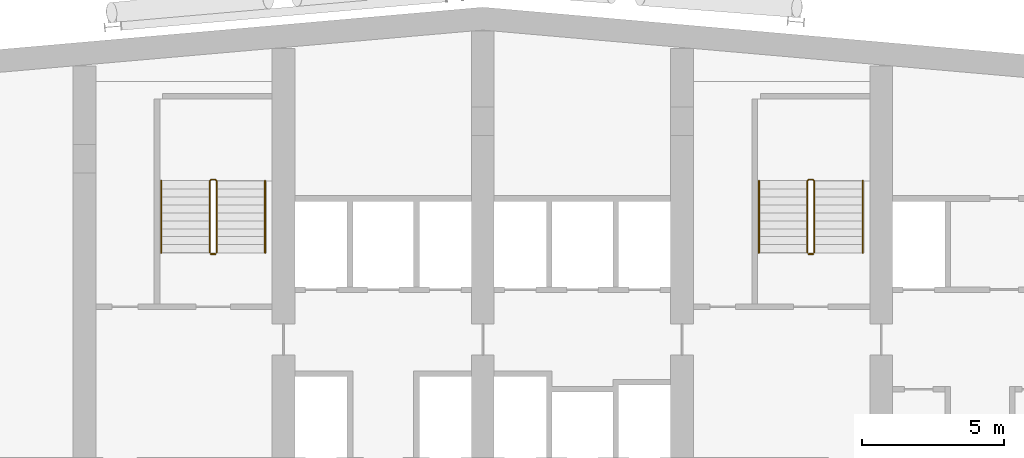
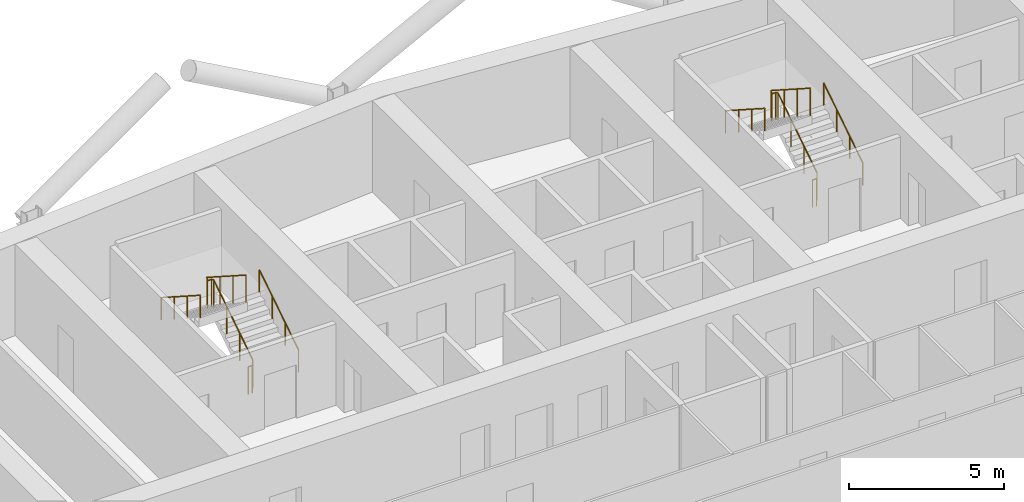
# One storey, part 29 of 29: 8 railings.
"""IFC4 building model written with IfcOpenShell, lengths in metres."""

from ifc_helpers import new_model, si_unit, direction, frame, origin, origin_2d, place, context, subcontext, project, spatial, circle, extrude, material, type_object, element, save


model = new_model("IFC4")

# Units and contexts
model_context = context("Model", 3, precision=1e-05, world=origin(), true_north=direction((0.0, 1.0)))
body_context = subcontext(model_context, "Body", "Model", "MODEL_VIEW")
ifc_project = project(units=[si_unit("LENGTHUNIT", "METRE"), si_unit("AREAUNIT", "SQUARE_METRE"), si_unit("VOLUMEUNIT", "CUBIC_METRE"), si_unit("PLANEANGLEUNIT", "RADIAN"), si_unit("MASSUNIT", "GRAM", prefix="KILO")], contexts=[model_context])

# Site, building, storey
site_placement = place(None, origin())
site = spatial("IfcSite", under=ifc_project, at=site_placement, CompositionType="ELEMENT")
building_placement = place(site_placement, origin())
building = spatial("IfcBuilding", under=site, at=building_placement, Name="Wharfspan Tower", CompositionType="ELEMENT")
storey_placement = place(building_placement, frame((0.0, 0.0, 155.5)))
storey = spatial("IfcBuildingStorey", under=building, at=storey_placement, Name="L37", CompositionType="ELEMENT", Elevation=155.5)

# Railings
ifc_material = material(Name="Steel S355J2", Category="steel")
railing_type_1 = type_object("IfcRailingType", Name="Stair guard 1100", PredefinedType="GUARDRAIL", material=ifc_material)
railing_1_placement = place(storey_placement, frame((27.649902, 42.0, 0.179932)))
element("IfcRailing", 1, at=railing_1_placement, inside=storey, type_object=railing_type_1, Name="L37 ST1 stair guard 1", PredefinedType="GUARDRAIL", context=body_context, shape_type="SweptSolid", body=[
    extrude(circle(Radius=0.023926, at=origin_2d()), frame((0.0, 0.0, 1.076172), z_axis=(0.0, 0.841163, 0.540782), x_axis=(-1.0, 0.0, 0.0)), (0.0, 0.0, 1.0), 2.99585),
    extrude(circle(Radius=0.023926, at=origin_2d()), frame((0.0, 2.52002, 2.696289), z_axis=(-0.705376, 0.708834, 0.0), x_axis=(-0.708834, -0.705376, 0.0)), (0.0, 0.0, 1.0), 0.070557),
    extrude(circle(Radius=0.023926, at=origin_2d()), frame((-0.049805, 2.570068, 2.696289), z_axis=(-1.0, 0.0, 0.0), x_axis=(0.0, -1.0, 0.0)), (0.0, 0.0, 1.0), 0.150146),
    extrude(circle(Radius=0.023926, at=origin_2d()), frame((-0.199951, 2.570068, 2.696289), z_axis=(-0.258848, -0.258848, 0.930589), x_axis=(0.707107, -0.707107, 0.0)), (0.0, 0.0, 1.0), 0.193359),
    extrude(circle(Radius=0.023926, at=origin_2d()), frame((-0.25, 2.52002, 2.875977), z_axis=(0.0, -0.841163, 0.540782), x_axis=(1.0, 0.0, 0.0)), (0.0, 0.0, 1.0), 2.99585),
    extrude(circle(Radius=0.020996, at=origin_2d()), origin(), (0.0, 0.0, 1.0), 1.052002),
    extrude(circle(Radius=0.020996, at=origin_2d()), frame((0.0, 0.840088, 0.540039)), (0.0, 0.0, 1.0), 1.052002),
    extrude(circle(Radius=0.020996, at=origin_2d()), frame((0.0, 1.679932, 1.080078)), (0.0, 0.0, 1.0), 1.052002),
    extrude(circle(Radius=0.020996, at=origin_2d()), frame((0.0, 2.52002, 1.620117)), (0.0, 0.0, 1.0), 1.052002),
    extrude(circle(Radius=0.020996, at=origin_2d()), frame((-0.049805, 2.570068, 1.620117)), (0.0, 0.0, 1.0), 1.052002),
    extrude(circle(Radius=0.020996, at=origin_2d()), frame((-0.199951, 2.570068, 1.620117)), (0.0, 0.0, 1.0), 1.052002),
    extrude(circle(Radius=0.020996, at=origin_2d()), frame((-0.25, 2.52002, 1.800049)), (0.0, 0.0, 1.0), 1.052002),
    extrude(circle(Radius=0.020996, at=origin_2d()), frame((-0.25, 1.679932, 2.340088)), (0.0, 0.0, 1.0), 1.052002),
    extrude(circle(Radius=0.020996, at=origin_2d()), frame((-0.25, 0.840088, 2.880127)), (0.0, 0.0, 1.0), 1.052002),
    extrude(circle(Radius=0.020996, at=origin_2d()), frame((-0.25, 0.0, 3.420166)), (0.0, 0.0, 1.0), 1.052002),
])
railing_2_placement = place(storey_placement, frame((27.600098, 41.949951, 0.0)))
element("IfcRailing", 2, at=railing_2_placement, inside=storey, type_object=railing_type_1, Name="L37 ST1 stair guard 2", PredefinedType="GUARDRAIL", context=body_context, shape_type="SweptSolid", body=[
    extrude(circle(Radius=0.023926, at=origin_2d()), frame((0.0, 0.0, 1.076172), z_axis=(-1.0, 0.0, 0.0), x_axis=(0.0, -1.0, 0.0)), (0.0, 0.0, 1.0), 0.150146),
    extrude(circle(Radius=0.020996, at=origin_2d()), origin(), (0.0, 0.0, 1.0), 1.052002),
    extrude(circle(Radius=0.020996, at=origin_2d()), frame((-0.150146, 0.0, 0.0)), (0.0, 0.0, 1.0), 1.052002),
])
railing_3_placement = place(storey_placement, frame((48.649902, 42.0, 0.179932)))
element("IfcRailing", 3, at=railing_3_placement, inside=storey, type_object=railing_type_1, Name="L37 ST2 stair guard 1", PredefinedType="GUARDRAIL", context=body_context, shape_type="SweptSolid", body=[
    extrude(circle(Radius=0.023926, at=origin_2d()), frame((0.0, 0.0, 1.076172), z_axis=(0.0, 0.841163, 0.540782), x_axis=(-1.0, 0.0, 0.0)), (0.0, 0.0, 1.0), 2.99585),
    extrude(circle(Radius=0.023926, at=origin_2d()), frame((0.0, 2.52002, 2.696289), z_axis=(-0.705376, 0.708834, 0.0), x_axis=(-0.708834, -0.705376, 0.0)), (0.0, 0.0, 1.0), 0.070557),
    extrude(circle(Radius=0.023926, at=origin_2d()), frame((-0.049805, 2.570068, 2.696289), z_axis=(-1.0, 0.0, 0.0), x_axis=(0.0, -1.0, 0.0)), (0.0, 0.0, 1.0), 0.150146),
    extrude(circle(Radius=0.023926, at=origin_2d()), frame((-0.199951, 2.570068, 2.696289), z_axis=(-0.258848, -0.258848, 0.930589), x_axis=(0.707107, -0.707107, 0.0)), (0.0, 0.0, 1.0), 0.193359),
    extrude(circle(Radius=0.023926, at=origin_2d()), frame((-0.25, 2.52002, 2.875977), z_axis=(0.0, -0.841163, 0.540782), x_axis=(1.0, 0.0, 0.0)), (0.0, 0.0, 1.0), 2.99585),
    extrude(circle(Radius=0.020996, at=origin_2d()), origin(), (0.0, 0.0, 1.0), 1.052002),
    extrude(circle(Radius=0.020996, at=origin_2d()), frame((0.0, 0.840088, 0.540039)), (0.0, 0.0, 1.0), 1.052002),
    extrude(circle(Radius=0.020996, at=origin_2d()), frame((0.0, 1.679932, 1.080078)), (0.0, 0.0, 1.0), 1.052002),
    extrude(circle(Radius=0.020996, at=origin_2d()), frame((0.0, 2.52002, 1.620117)), (0.0, 0.0, 1.0), 1.052002),
    extrude(circle(Radius=0.020996, at=origin_2d()), frame((-0.049805, 2.570068, 1.620117)), (0.0, 0.0, 1.0), 1.052002),
    extrude(circle(Radius=0.020996, at=origin_2d()), frame((-0.199951, 2.570068, 1.620117)), (0.0, 0.0, 1.0), 1.052002),
    extrude(circle(Radius=0.020996, at=origin_2d()), frame((-0.25, 2.52002, 1.800049)), (0.0, 0.0, 1.0), 1.052002),
    extrude(circle(Radius=0.020996, at=origin_2d()), frame((-0.25, 1.679932, 2.340088)), (0.0, 0.0, 1.0), 1.052002),
    extrude(circle(Radius=0.020996, at=origin_2d()), frame((-0.25, 0.840088, 2.880127)), (0.0, 0.0, 1.0), 1.052002),
    extrude(circle(Radius=0.020996, at=origin_2d()), frame((-0.25, 0.0, 3.420166)), (0.0, 0.0, 1.0), 1.052002),
])
railing_4_placement = place(storey_placement, frame((48.600098, 41.949951, 0.0)))
element("IfcRailing", 4, at=railing_4_placement, inside=storey, type_object=railing_type_1, Name="L37 ST2 stair guard 2", PredefinedType="GUARDRAIL", context=body_context, shape_type="SweptSolid", body=[
    extrude(circle(Radius=0.023926, at=origin_2d()), frame((0.0, 0.0, 1.076172), z_axis=(-1.0, 0.0, 0.0), x_axis=(0.0, -1.0, 0.0)), (0.0, 0.0, 1.0), 0.150146),
    extrude(circle(Radius=0.020996, at=origin_2d()), origin(), (0.0, 0.0, 1.0), 1.052002),
    extrude(circle(Radius=0.020996, at=origin_2d()), frame((-0.150146, 0.0, 0.0)), (0.0, 0.0, 1.0), 1.052002),
])
railing_type_2 = type_object("IfcRailingType", Name="Stair handrail 900", PredefinedType="HANDRAIL", material=ifc_material)
railing_5_placement = place(storey_placement, frame((29.350098, 42.0, 0.179932)))
element("IfcRailing", 5, at=railing_5_placement, inside=storey, type_object=railing_type_2, Name="L37 ST1 stair handrail 1", PredefinedType="HANDRAIL", context=body_context, shape_type="SweptSolid", body=[
    extrude(circle(Radius=0.023926, at=origin_2d()), frame((0.0, 0.0, 0.875977), z_axis=(0.0, 0.841163, 0.540782), x_axis=(-1.0, 0.0, 0.0)), (0.0, 0.0, 1.0), 2.99585),
    extrude(circle(Radius=0.020996, at=origin_2d()), origin(), (0.0, 0.0, 1.0), 0.851807),
    extrude(circle(Radius=0.020996, at=origin_2d()), frame((0.0, 0.840088, 0.540039)), (0.0, 0.0, 1.0), 0.851807),
    extrude(circle(Radius=0.020996, at=origin_2d()), frame((0.0, 1.679932, 1.080078)), (0.0, 0.0, 1.0), 0.851807),
    extrude(circle(Radius=0.020996, at=origin_2d()), frame((0.0, 2.52002, 1.620117)), (0.0, 0.0, 1.0), 0.851807),
])
railing_6_placement = place(storey_placement, frame((25.699951, 44.52002, 1.97998)))
element("IfcRailing", 6, at=railing_6_placement, inside=storey, type_object=railing_type_2, Name="L37 ST1 stair handrail 2", PredefinedType="HANDRAIL", context=body_context, shape_type="SweptSolid", body=[
    extrude(circle(Radius=0.023926, at=origin_2d()), frame((0.0, 0.0, 0.875977), z_axis=(0.0, -0.841163, 0.540782), x_axis=(1.0, 0.0, 0.0)), (0.0, 0.0, 1.0), 2.99585),
    extrude(circle(Radius=0.020996, at=origin_2d()), origin(), (0.0, 0.0, 1.0), 0.851807),
    extrude(circle(Radius=0.020996, at=origin_2d()), frame((0.0, -0.840088, 0.540039)), (0.0, 0.0, 1.0), 0.851807),
    extrude(circle(Radius=0.020996, at=origin_2d()), frame((0.0, -1.679932, 1.080078)), (0.0, 0.0, 1.0), 0.851807),
    extrude(circle(Radius=0.020996, at=origin_2d()), frame((0.0, -2.52002, 1.620117)), (0.0, 0.0, 1.0), 0.851807),
])
railing_7_placement = place(storey_placement, frame((50.350098, 42.0, 0.179932)))
element("IfcRailing", 7, at=railing_7_placement, inside=storey, type_object=railing_type_2, Name="L37 ST2 stair handrail 1", PredefinedType="HANDRAIL", context=body_context, shape_type="SweptSolid", body=[
    extrude(circle(Radius=0.023926, at=origin_2d()), frame((0.0, 0.0, 0.875977), z_axis=(0.0, 0.841163, 0.540782), x_axis=(-1.0, 0.0, 0.0)), (0.0, 0.0, 1.0), 2.99585),
    extrude(circle(Radius=0.020996, at=origin_2d()), origin(), (0.0, 0.0, 1.0), 0.851807),
    extrude(circle(Radius=0.020996, at=origin_2d()), frame((0.0, 0.840088, 0.540039)), (0.0, 0.0, 1.0), 0.851807),
    extrude(circle(Radius=0.020996, at=origin_2d()), frame((0.0, 1.679932, 1.080078)), (0.0, 0.0, 1.0), 0.851807),
    extrude(circle(Radius=0.020996, at=origin_2d()), frame((0.0, 2.52002, 1.620117)), (0.0, 0.0, 1.0), 0.851807),
])
railing_8_placement = place(storey_placement, frame((46.699951, 44.52002, 1.97998)))
element("IfcRailing", 8, at=railing_8_placement, inside=storey, type_object=railing_type_2, Name="L37 ST2 stair handrail 2", PredefinedType="HANDRAIL", context=body_context, shape_type="SweptSolid", body=[
    extrude(circle(Radius=0.023926, at=origin_2d()), frame((0.0, 0.0, 0.875977), z_axis=(0.0, -0.841163, 0.540782), x_axis=(1.0, 0.0, 0.0)), (0.0, 0.0, 1.0), 2.99585),
    extrude(circle(Radius=0.020996, at=origin_2d()), origin(), (0.0, 0.0, 1.0), 0.851807),
    extrude(circle(Radius=0.020996, at=origin_2d()), frame((0.0, -0.840088, 0.540039)), (0.0, 0.0, 1.0), 0.851807),
    extrude(circle(Radius=0.020996, at=origin_2d()), frame((0.0, -1.679932, 1.080078)), (0.0, 0.0, 1.0), 0.851807),
    extrude(circle(Radius=0.020996, at=origin_2d()), frame((0.0, -2.52002, 1.620117)), (0.0, 0.0, 1.0), 0.851807),
])

save(model, "model.ifc")
